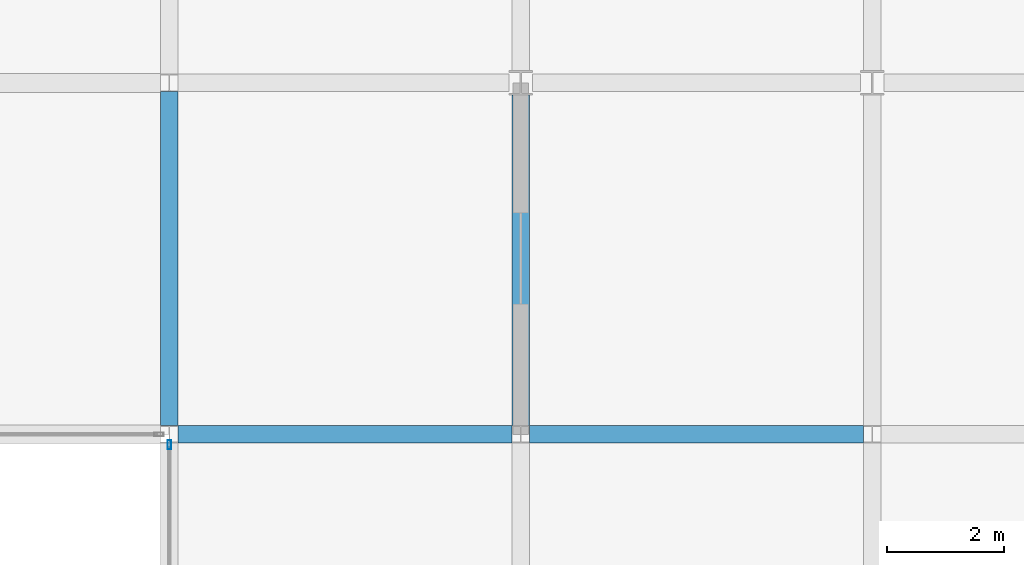
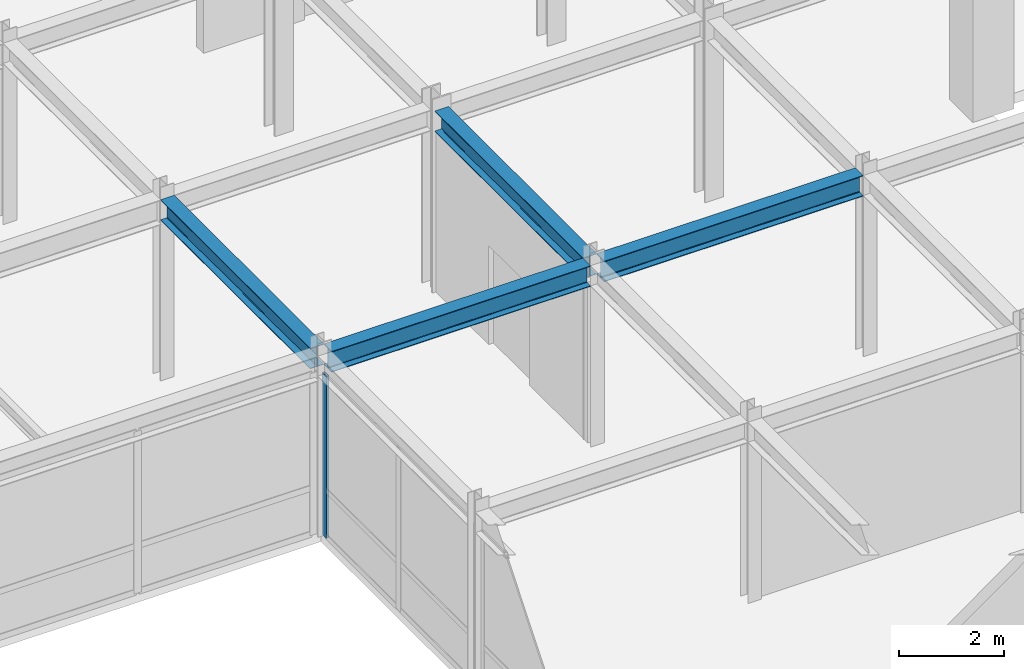
# One storey, part 73 of 108: 4 beams, 1 member, 1 element without a shape of its own.
"""IFC4 building model written with IfcOpenShell, lengths in metres."""

from ifc_helpers import new_model, si_unit, direction, frame, origin, origin_2d, place, context, subcontext, project, spatial, hollow_rectangle, i_section, extrude, material, layer, layer_set, material_profile, profile_set, type_object, element, aggregate, save


model = new_model("IFC4")

# Units and contexts
model_context = context("Model", 3, precision=1e-05, world=origin(), true_north=direction((0.0, 1.0)))
body_context = subcontext(model_context, "Body", "Model", "MODEL_VIEW")
ifc_project = project(units=[si_unit("LENGTHUNIT", "METRE"), si_unit("AREAUNIT", "SQUARE_METRE"), si_unit("VOLUMEUNIT", "CUBIC_METRE"), si_unit("PLANEANGLEUNIT", "RADIAN"), si_unit("MASSUNIT", "GRAM", prefix="KILO")], contexts=[model_context])

# Site, building, storey
site_placement = place(None, origin())
site = spatial("IfcSite", under=ifc_project, at=site_placement, CompositionType="ELEMENT")
building_placement = place(site_placement, origin())
building = spatial("IfcBuilding", under=site, at=building_placement, Name="Zlatovratsky Civic Hall", CompositionType="ELEMENT")
storey_placement = place(building_placement, frame((0.0, 0.0, 12.0)))
storey = spatial("IfcBuildingStorey", under=building, at=storey_placement, Name="L03", CompositionType="ELEMENT", Elevation=12.0)

# Beams
ifc_material_1 = material(Name="Steel S355", Category="steel")
ifc_material_profile_1 = material_profile(ifc_material_1, i_section(OverallWidth=0.300048828125, OverallDepth=0.48193359375, WebThickness=0.010986328125, FlangeThickness=0.014892578125, FilletRadius=0.02392578125, at=origin_2d()), Name="50Sh1")
ifc_profile_set_1 = profile_set([ifc_material_profile_1], Name="Steel S355")
beam_type = type_object("IfcBeamType", Name="Beam_LibraryGirder_50Sh1", PredefinedType="BEAM", material=ifc_profile_set_1)
for number, where, z_axis, x_axis, name in (
    (1, (48.1494140625, 66.0, 3.97900390625), (1.0, 0.0, 0.0), (0.0, 1.0, 0.0), "BM-2610"),
    (2, (54.1494140625, 66.0, 3.97900390625), (1.0, 0.0, 0.0), (0.0, 1.0, 0.0), "BM-2611"),
):
    element("IfcBeam", number, at=place(storey_placement, frame(where, z_axis=z_axis, x_axis=x_axis)), inside=storey, type_object=beam_type, Name=name, PredefinedType="BEAM", context=body_context, shape_type="SweptSolid", body=[
        extrude(i_section(OverallWidth=0.300048828125, OverallDepth=0.48193359375, WebThickness=0.010986328125, FlangeThickness=0.014892578125, FilletRadius=0.02392578125, at=origin_2d()), origin(), (0.0, 0.0, 1.0), 5.701171875),
    ])
beam_1_placement = place(storey_placement, frame((48.0, 66.14794921875, 3.97900390625), z_axis=(0.0, 1.0, 0.0), x_axis=(-1.0, 0.0, 0.0)))
element("IfcBeam", 3, at=beam_1_placement, inside=storey, type_object=beam_type, Name="BM-2875", PredefinedType="BEAM", context=body_context, shape_type="SweptSolid", body=[
    extrude(i_section(OverallWidth=0.300048828125, OverallDepth=0.48193359375, WebThickness=0.010986328125, FlangeThickness=0.014892578125, FilletRadius=0.02392578125, at=origin_2d()), origin(), (0.0, 0.0, 1.0), 5.7041015625),
])
beam_2_placement = place(storey_placement, frame((54.0, 66.14794921875, 3.97900390625), z_axis=(0.0, 1.0, 0.0), x_axis=(-1.0, 0.0, 0.0)))
element("IfcBeam", 4, at=beam_2_placement, inside=storey, type_object=beam_type, Name="BM-2892", PredefinedType="BEAM", context=body_context, shape_type="SweptSolid", body=[
    extrude(i_section(OverallWidth=0.300048828125, OverallDepth=0.48193359375, WebThickness=0.010986328125, FlangeThickness=0.014892578125, FilletRadius=0.02392578125, at=origin_2d()), origin(), (0.0, 0.0, 1.0), 5.64306640625),
])

# Curtain wall, member
ifc_material_2 = material(Name="Anodised bronze aluminium", Category="aluminium")
ifc_layer = layer(ifc_material_2, 0.159912109375)
ifc_layer_set = layer_set([ifc_layer], Name="Anodised bronze aluminium")
curtain_wall_type = type_object("IfcCurtainWallType", Name="CurtainWall_Bronze_5700x3770_12", PredefinedType="NOTDEFINED", material=ifc_layer_set)
curtain_wall_placement = place(storey_placement, origin())
curtain_wall = element("IfcCurtainWall", 5, at=curtain_wall_placement, inside=storey, type_object=curtain_wall_type, Name="CW-068", PredefinedType="NOTDEFINED")
ifc_material_profile_2 = material_profile(ifc_material_2, hollow_rectangle(XDim=0.06005859375, YDim=0.159912109375, WallThickness=0.00390625, at=origin_2d()), Name="ALU 60x160x4")
ifc_profile_set_2 = profile_set([ifc_material_profile_2], Name="Anodised bronze aluminium")
member_type = type_object("IfcMemberType", Name="CW_Mullion_60x160", PredefinedType="MULLION", material=ifc_profile_set_2)
member_placement = place(storey_placement, frame((48.0, 65.822021484375, 0.0), z_axis=(0.0, 0.0, 1.0), x_axis=(-1.0, 0.0, 0.0)))
member = element("IfcMember", 6, at=member_placement, type_object=member_type, Name="CW-12 mullion 3", PredefinedType="MULLION", context=body_context, shape_type="SweptSolid", body=[
    extrude(hollow_rectangle(XDim=0.06005859375, YDim=0.159912109375, WallThickness=0.00390625, at=origin_2d()), origin(), (0.0, 0.0, 1.0), 3.77001953125),
])
aggregate(curtain_wall, [member])

save(model, "model.ifc")
